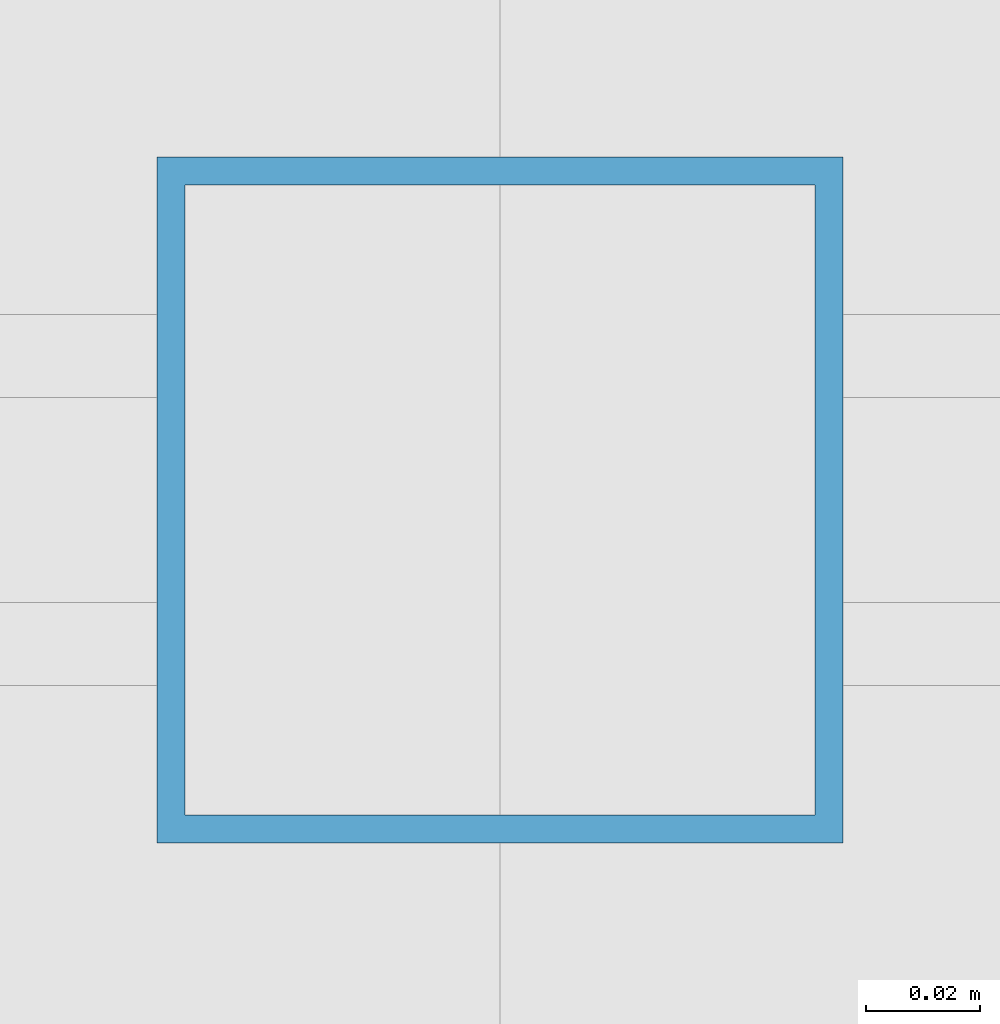
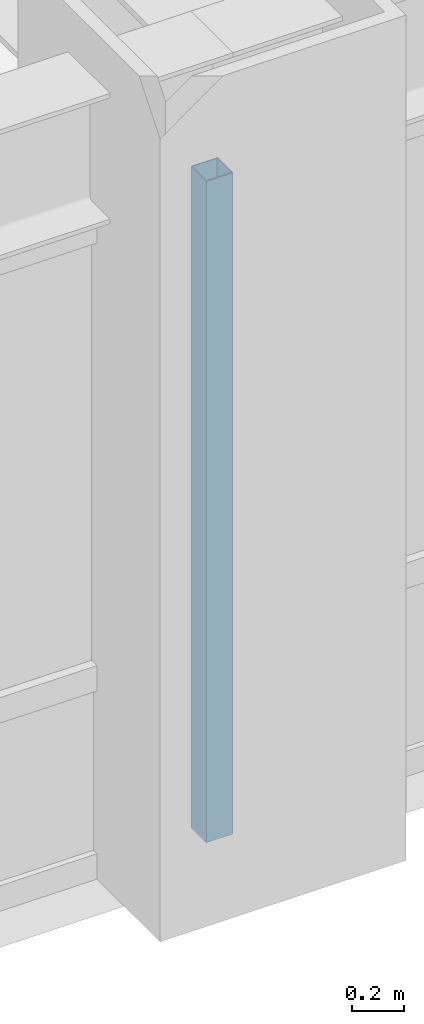
# One storey, part 4 of 24: 1 member, 1 element without a shape of its own.
"""IFC4 building model written with IfcOpenShell, lengths in metres."""

import ifcopenshell
import ifcopenshell.guid

model = None  # the IFC model being written
_history = None  # IfcOwnerHistory: only IFC2X3 demands one
_inside = {}  # id of a spatial element -> (the spatial element, [elements in it])
_under = {}  # id of a project, library or spatial element -> (it, [spatial elements below it])
_declared = {}  # id of a project -> (the project, [libraries it declares])
_typed = {}  # id of a type object -> (the type object, [elements of that type])
_made_of = {}  # id of a material, layer set ... -> (it, [elements and type objects made of it])


def new_model(schema):
    """Start an empty IFC model of exactly this schema.

    Asked for "IFC4X3", IfcOpenShell would pick the latest addendum, in which some entities
    have other attributes; the version numbers below select the first issue.
    IFC2X3 requires an IfcOwnerHistory on every rooted entity: one is made here for all.
    """
    global model, _history
    if schema == "IFC4X3":
        model = ifcopenshell.file(schema_version=(4, 3, 0, 0))
    else:
        model = ifcopenshell.file(schema=schema)
    _inside.clear()
    _under.clear()
    _declared.clear()
    _typed.clear()
    _made_of.clear()
    _history = None
    if model.schema == "IFC2X3":
        org = make("IfcOrganization", Name="unknown")
        user = make(
            "IfcPersonAndOrganization",
            ThePerson=make("IfcPerson", FamilyName="unknown"),
            TheOrganization=org,
        )
        app = make(
            "IfcApplication",
            ApplicationDeveloper=org,
            Version="unknown",
            ApplicationFullName="unknown",
            ApplicationIdentifier="unknown",
        )
        _history = make(
            "IfcOwnerHistory",
            OwningUser=user,
            OwningApplication=app,
            ChangeAction="ADDED",
            CreationDate=0,
        )
    return model


def make(cls, **values):
    """One entity of the class cls with the attributes given. An attribute that is None is left unset."""
    return model.create_entity(
        cls, **{name: value for name, value in values.items() if value is not None}
    )


def rooted(cls, **values):
    """An entity with a GlobalId (a new one), such as an element, a storey or a relation."""
    return make(cls, GlobalId=ifcopenshell.guid.new(), OwnerHistory=_history, **values)


def si_unit(unit_type, name, prefix=None):
    """IfcSIUnit, for example si_unit("LENGTHUNIT", "METRE", prefix="MILLI")."""
    return make("IfcSIUnit", UnitType=unit_type, Prefix=prefix, Name=name)


def assignment(units):
    """IfcUnitAssignment: the units of a project."""
    return None if units is None else make("IfcUnitAssignment", Units=units)


def point(xyz):
    """IfcCartesianPoint."""
    return None if xyz is None else make("IfcCartesianPoint", Coordinates=xyz)


def direction(xyz):
    """IfcDirection."""
    return None if xyz is None else make("IfcDirection", DirectionRatios=xyz)


def frame(location, z_axis=None, x_axis=None):
    """IfcAxis2Placement3D, a coordinate frame: its origin and axes. An axis left out is left unset."""
    return make(
        "IfcAxis2Placement3D",
        Location=point(location),
        Axis=direction(z_axis),
        RefDirection=direction(x_axis),
    )


def frame_2d(location, x_axis=None):
    """IfcAxis2Placement2D, a coordinate frame in the plane: its origin and x axis."""
    return make(
        "IfcAxis2Placement2D", Location=point(location), RefDirection=direction(x_axis)
    )


def origin():
    """The frame at (0, 0, 0) with its axes left unset."""
    return frame((0.0, 0.0, 0.0))


def origin_2d():
    """The frame at (0, 0) in the plane with its x axis left unset."""
    return frame_2d((0.0, 0.0))


def place(relative_to, where):
    """IfcLocalPlacement: puts the frame where relative to a parent placement (None: the world)."""
    return make(
        "IfcLocalPlacement", PlacementRelTo=relative_to, RelativePlacement=where
    )


def context(
    kind, dimensions, precision=None, world=None, true_north=None, identifier=None
):
    """IfcGeometricRepresentationContext, for example the 3D "Model" context."""
    return make(
        "IfcGeometricRepresentationContext",
        ContextIdentifier=identifier,
        ContextType=kind,
        CoordinateSpaceDimension=dimensions,
        Precision=precision,
        WorldCoordinateSystem=world,
        TrueNorth=true_north,
    )


def subcontext(parent, identifier, kind, view, scale=None):
    """IfcGeometricRepresentationSubContext, for example "Body" below "Model"."""
    return make(
        "IfcGeometricRepresentationSubContext",
        ContextIdentifier=identifier,
        ContextType=kind,
        ParentContext=parent,
        TargetScale=scale,
        TargetView=view,
    )


def project(units=None, contexts=None):
    """IfcProject with its units and contexts."""
    return rooted(
        "IfcProject",
        Name="project",
        RepresentationContexts=contexts,
        UnitsInContext=assignment(units),
    )


def spatial(cls, under=None, at=None, **own):
    """A site, building, storey or space (cls), placed at a placement, below another one or the project."""
    s = rooted(cls, ObjectPlacement=at, **own)
    if under is not None:
        _under.setdefault(under.id(), (under, []))[1].append(s)
    return s


def profile(cls, at=None, kind="AREA", **sizes):
    """A parametric profile (cls). Its sizes go by their IFC names, for example OverallWidth=200.0."""
    return make(cls, ProfileType=kind, Position=at, **sizes)


def hollow_rectangle(**sizes):
    """IfcRectangleHollowProfileDef."""
    return profile("IfcRectangleHollowProfileDef", **sizes)


def extrude(swept, where, along, depth):
    """IfcExtrudedAreaSolid: the profile swept, set in the frame where, extruded along a direction by depth."""
    return make(
        "IfcExtrudedAreaSolid",
        SweptArea=swept,
        Position=where,
        ExtrudedDirection=direction(along),
        Depth=depth,
    )


def shape(context_of_items, identifier, shape_type, items):
    """IfcShapeRepresentation: the items that make up one representation, for example the "Body"."""
    return make(
        "IfcShapeRepresentation",
        ContextOfItems=context_of_items,
        RepresentationIdentifier=identifier,
        RepresentationType=shape_type,
        Items=items,
    )


def source(mapping_origin, context_of_items, identifier, shape_type, items):
    """IfcRepresentationMap: a shape defined once, which mapped items show again and again."""
    return make(
        "IfcRepresentationMap",
        MappingOrigin=mapping_origin,
        MappedRepresentation=shape(context_of_items, identifier, shape_type, items),
    )


def transform(
    local_origin,
    x_axis=None,
    y_axis=None,
    z_axis=None,
    scale=None,
    scale2=None,
    scale3=None,
    uniform=True,
):
    """IfcCartesianTransformationOperator3D, or its non-uniform kind. x_axis, y_axis, z_axis: its Axis1, 2, 3."""
    if uniform:
        return make(
            "IfcCartesianTransformationOperator3D",
            Axis1=direction(x_axis),
            Axis2=direction(y_axis),
            LocalOrigin=point(local_origin),
            Scale=scale,
            Axis3=direction(z_axis),
        )
    return make(
        "IfcCartesianTransformationOperator3DnonUniform",
        Axis1=direction(x_axis),
        Axis2=direction(y_axis),
        LocalOrigin=point(local_origin),
        Scale=scale,
        Axis3=direction(z_axis),
        Scale2=scale2,
        Scale3=scale3,
    )


def mapped(mapping_source, mapping_target):
    """IfcMappedItem: shows the shape of a source again, moved by a transform."""
    return make(
        "IfcMappedItem", MappingSource=mapping_source, MappingTarget=mapping_target
    )


def material(Name=None, Category=None):
    """IfcMaterial."""
    return make("IfcMaterial", Name=Name, Category=Category)


def material_profile(
    of_material, cross_section, Name=None, Category=None, Priority=None
):
    """IfcMaterialProfile: a cross section and its material."""
    return make(
        "IfcMaterialProfile",
        Name=Name,
        Material=of_material,
        Profile=cross_section,
        Priority=Priority,
        Category=Category,
    )


def profile_set(profiles, Name=None, composite=None):
    """IfcMaterialProfileSet."""
    return make(
        "IfcMaterialProfileSet",
        Name=Name,
        MaterialProfiles=profiles,
        CompositeProfile=composite,
    )


def made_of(thing, what):
    """Note that an element or type object is made of a material, layer set ...; save() writes the relation."""
    if what is not None:
        _made_of.setdefault(what.id(), (what, []))[1].append(thing)
    return thing


def type_object(cls, material=None, **own):
    """A type object (cls), such as IfcWallType, which elements share."""
    return made_of(rooted(cls, **own), material)


def element(
    cls,
    number,
    at=None,
    inside=None,
    cuts=None,
    type_object=None,
    material=None,
    context=None,
    identifier="Body",
    shape_type=None,
    held_by="IfcProductDefinitionShape",
    body=None,
    shapes=None,
    **own,
):
    """One element of the class cls, such as IfcWall. Its Tag is "e" and its number.

    at: its placement. inside: the storey or other place that contains it. cuts: it is an
    opening in that element (IfcRelVoidsElement). A single representation is given by context,
    identifier, shape_type and body (its items); several are given by shapes. held_by: the class
    of the entity that holds the representations. save() writes the other relations.
    """
    e = rooted(cls, Tag="e%d" % number, ObjectPlacement=at, **own)
    if body is not None:
        shapes = [shape(context, identifier, shape_type, body)]
    if shapes is not None:
        e.Representation = make(held_by, Representations=shapes)
    if inside is not None:
        _inside.setdefault(inside.id(), (inside, []))[1].append(e)
    if cuts is not None:
        rooted(
            "IfcRelVoidsElement", RelatingBuildingElement=cuts, RelatedOpeningElement=e
        )
    if type_object is not None:
        _typed.setdefault(type_object.id(), (type_object, []))[1].append(e)
    return made_of(e, material)


def aggregate(whole, parts):
    """IfcRelAggregates: a whole, such as a stair, and the parts it consists of."""
    return rooted("IfcRelAggregates", RelatingObject=whole, RelatedObjects=parts)


def save(model, path):
    """Write the relations noted so far, then the file.

    IfcRelAggregates (storeys below a building ...), IfcRelContainedInSpatialStructure (elements
    in a storey), IfcRelDefinesByType, IfcRelAssociatesMaterial and IfcRelDeclares: one each for
    every whole, place, type object, material and project.
    """
    for whole, parts in _under.values():
        aggregate(whole, parts)
    for where, things in _inside.values():
        rooted(
            "IfcRelContainedInSpatialStructure",
            RelatedElements=things,
            RelatingStructure=where,
        )
    for kind, things in _typed.values():
        rooted("IfcRelDefinesByType", RelatedObjects=things, RelatingType=kind)
    for what, things in _made_of.values():
        rooted("IfcRelAssociatesMaterial", RelatedObjects=things, RelatingMaterial=what)
    for by, libraries in _declared.values():
        rooted("IfcRelDeclares", RelatingContext=by, RelatedDefinitions=libraries)
    model.write(path)


model = new_model("IFC4")

# Units and contexts
model_context = context("Model", 3, precision=1e-05, world=origin(), true_north=direction((0.0, 1.0)))
body_context = subcontext(model_context, "Body", "Model", "MODEL_VIEW")
ifc_project = project(units=[si_unit("LENGTHUNIT", "METRE"), si_unit("AREAUNIT", "SQUARE_METRE"), si_unit("VOLUMEUNIT", "CUBIC_METRE"), si_unit("PLANEANGLEUNIT", "RADIAN"), si_unit("MASSUNIT", "GRAM", prefix="KILO")], contexts=[model_context])

# Site, building, storey
site_placement = place(None, origin())
site = spatial("IfcSite", under=ifc_project, at=site_placement, CompositionType="ELEMENT")
building_placement = place(site_placement, origin())
building = spatial("IfcBuilding", under=site, at=building_placement, Name="Khorayat Bourse Tower", CompositionType="ELEMENT")
storey_placement = place(building_placement, frame((0.0, 0.0, 159.10009765625)))
storey = spatial("IfcBuildingStorey", under=building, at=storey_placement, Name="L36", CompositionType="ELEMENT", Elevation=159.10009765625)

# Curtain wall, member
ifc_material = material(Name="Aluminium EN AW-6063 T6", Category="aluminium")
curtain_wall_type = type_object("IfcCurtainWallType", Name="CW-SYS-03", PredefinedType="NOTDEFINED", material=ifc_material)
curtain_wall_placement = place(storey_placement, origin())
curtain_wall = element("IfcCurtainWall", 1, at=curtain_wall_placement, inside=storey, type_object=curtain_wall_type, Name="L36 Curtain Wall CW-L36-S1", PredefinedType="NOTDEFINED")
ifc_material_profile = material_profile(ifc_material, hollow_rectangle(XDim=0.1201171875, YDim=0.1201171875, WallThickness=0.0048828125, at=origin_2d()), Name="ALU 120x120x5")
ifc_profile_set = profile_set([ifc_material_profile], Name="Aluminium EN AW-6063 T6")
member_type = type_object("IfcMemberType", Name="CWM-VERT-120", PredefinedType="MULLION", material=ifc_profile_set)
shared_shape = source(origin(), body_context, "Body", "SweptSolid", [
    extrude(hollow_rectangle(XDim=0.1201171875, YDim=0.1201171875, WallThickness=0.0048828125, at=origin_2d()), origin(), (0.0, 0.0, 1.0), 3.1298828125),
])
member_placement = place(storey_placement, frame((0.0, -30.0, 0.0), z_axis=(0.0, 0.0, 1.0), x_axis=(0.0, 1.0, 0.0)))
member = element("IfcMember", 2, at=member_placement, type_object=member_type, Name="CW-L36-S1 Vertical Mullion 2", PredefinedType="MULLION", context=body_context, shape_type="MappedRepresentation", body=[
    mapped(shared_shape, transform((0.0, 0.0, 0.0), scale=1.0)),
])
aggregate(curtain_wall, [member])

save(model, "model.ifc")
